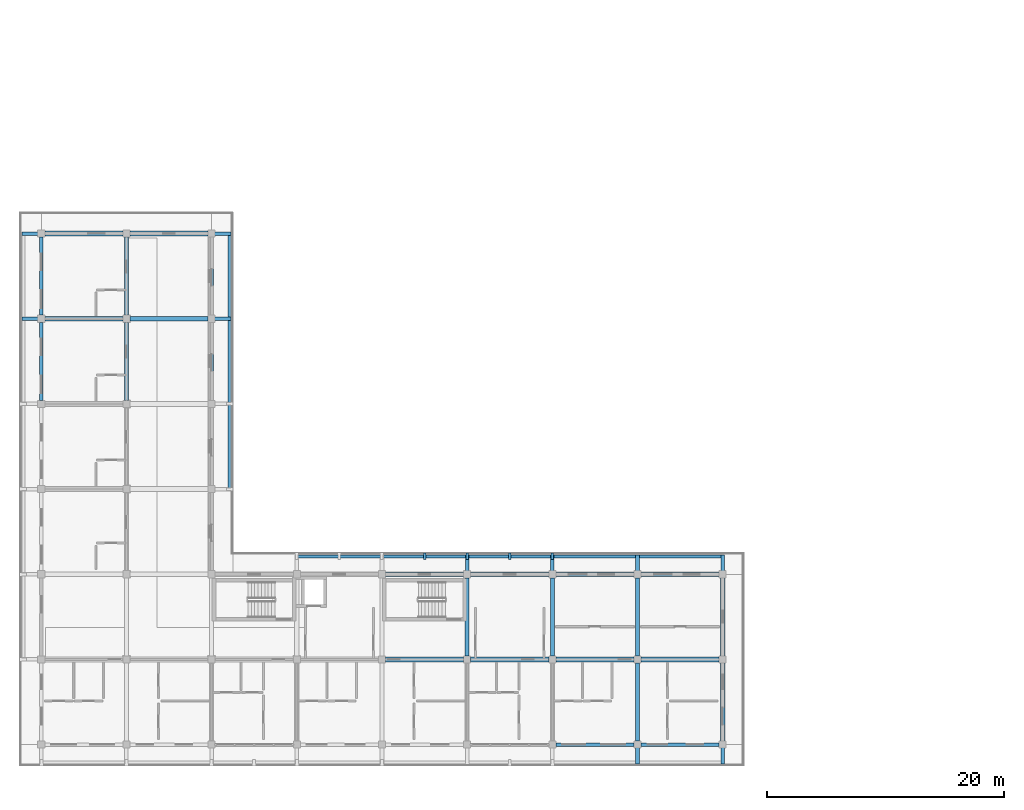
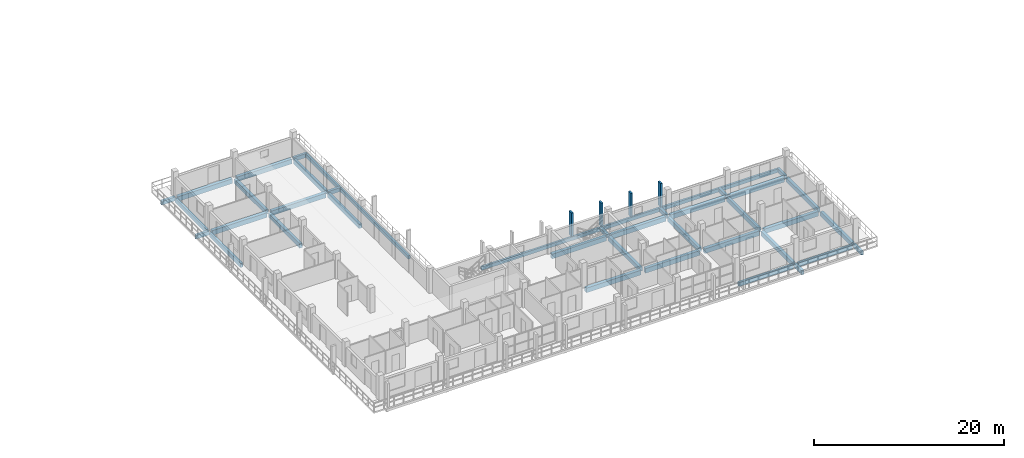
# One storey, part 7 of 76: 38 beams, 4 members.
"""IFC4 building model written with IfcOpenShell, lengths in metres."""

from ifc_helpers import new_model, si_unit, direction, frame, origin, origin_2d, place, context, subcontext, project, spatial, rectangle, extrude, material, material_profile, profile_set, type_object, element, save


model = new_model("IFC4")

# Units and contexts
model_context = context("Model", 3, precision=1e-05, world=origin(), true_north=direction((0.0, 1.0)))
body_context = subcontext(model_context, "Body", "Model", "MODEL_VIEW")
ifc_project = project(units=[si_unit("LENGTHUNIT", "METRE"), si_unit("AREAUNIT", "SQUARE_METRE"), si_unit("VOLUMEUNIT", "CUBIC_METRE"), si_unit("PLANEANGLEUNIT", "RADIAN"), si_unit("MASSUNIT", "GRAM", prefix="KILO")], contexts=[model_context])

# Site, building, storey
site_placement = place(None, origin())
site = spatial("IfcSite", under=ifc_project, at=site_placement, CompositionType="ELEMENT")
building_placement = place(site_placement, origin())
building = spatial("IfcBuilding", under=site, at=building_placement, Name="Suanplinth Sawtooth Commons", CompositionType="ELEMENT")
storey_placement = place(building_placement, frame((0.0, 0.0, 12.199951171875)))
storey = spatial("IfcBuildingStorey", under=building, at=storey_placement, Name="L03", CompositionType="ELEMENT", Elevation=12.199951171875)

# Beams
ifc_material_1 = material(Name="Precast concrete C40/50", Category="concrete")
ifc_material_profile_1 = material_profile(ifc_material_1, rectangle(XDim=0.39990234375, YDim=0.60009765625, at=origin_2d()), Name="PC-GDR 400x600")
ifc_profile_set_1 = profile_set([ifc_material_profile_1], Name="Precast concrete C40/50")
beam_type_1 = type_object("IfcBeamType", Name="B-05", PredefinedType="USERDEFINED", material=ifc_profile_set_1)
for number, where, z_axis, x_axis, name in (
    (1, (0.300048828125, 36.0, -0.5400390625), (1.0, 0.0, 0.0), (0.0, 1.0, 0.0), "BMX-L03-D-0-5"),
    (2, (0.300048828125, 43.199951171875, -0.5400390625), (1.0, 0.0, 0.0), (0.0, 1.0, 0.0), "BMX-L03-D-0-6"),
):
    element("IfcBeam", number, at=place(storey_placement, frame(where, z_axis=z_axis, x_axis=x_axis)), inside=storey, type_object=beam_type_1, Name=name, ObjectType="GIRDER", PredefinedType="USERDEFINED", context=body_context, shape_type="SweptSolid", body=[
        extrude(rectangle(XDim=0.39990234375, YDim=0.60009765625, at=origin_2d()), origin(), (0.0, 0.0, 1.0), 6.599853515625),
    ])
for number, where, z_axis, x_axis, name in (
    (3, (7.5, 36.0, -0.5400390625), (1.0, 0.0, 0.0), (0.0, 1.0, 0.0), "BMX-L03-D-1-5"),
    (4, (7.5, 43.199951171875, -0.5400390625), (1.0, 0.0, 0.0), (0.0, 1.0, 0.0), "BMX-L03-D-1-6"),
):
    element("IfcBeam", number, at=place(storey_placement, frame(where, z_axis=z_axis, x_axis=x_axis)), inside=storey, type_object=beam_type_1, Name=name, ObjectType="GIRDER", PredefinedType="USERDEFINED", context=body_context, shape_type="SweptSolid", body=[
        extrude(rectangle(XDim=0.39990234375, YDim=0.60009765625, at=origin_2d()), origin(), (0.0, 0.0, 1.0), 6.60009765625),
    ])
for number, where, z_axis, x_axis, name in (
    (5, (29.10009765625, 7.199951171875, -0.5400390625), (1.0, 0.0, 0.0), (0.0, 1.0, 0.0), "BMX-L03-D-4-1"),
    (6, (29.10009765625, 14.39990234375, -0.5400390625), (1.0, 0.0, 0.0), (0.0, 1.0, 0.0), "BMX-L03-D-4-2"),
    (7, (36.300048828125, 7.199951171875, -0.5400390625), (1.0, 0.0, 0.0), (0.0, 1.0, 0.0), "BMX-L03-D-5-1"),
    (8, (36.300048828125, 14.39990234375, -0.5400390625), (1.0, 0.0, 0.0), (0.0, 1.0, 0.0), "BMX-L03-D-5-2"),
):
    element("IfcBeam", number, at=place(storey_placement, frame(where, z_axis=z_axis, x_axis=x_axis)), inside=storey, type_object=beam_type_1, Name=name, ObjectType="GIRDER", PredefinedType="USERDEFINED", context=body_context, shape_type="SweptSolid", body=[
        extrude(rectangle(XDim=0.39990234375, YDim=0.60009765625, at=origin_2d()), origin(), (0.0, 0.0, 1.0), 6.599853515625),
    ])
for number, where, z_axis, x_axis, name in (
    (9, (43.5, 7.199951171875, -0.5400390625), (1.0, 0.0, 0.0), (0.0, 1.0, 0.0), "BMX-L03-D-6-1"),
    (10, (43.5, 14.39990234375, -0.5400390625), (1.0, 0.0, 0.0), (0.0, 1.0, 0.0), "BMX-L03-D-6-2"),
    (11, (50.699951171875, 7.199951171875, -0.5400390625), (1.0, 0.0, 0.0), (0.0, 1.0, 0.0), "BMX-L03-D-7-1"),
    (12, (50.699951171875, 14.39990234375, -0.5400390625), (1.0, 0.0, 0.0), (0.0, 1.0, 0.0), "BMX-L03-D-7-2"),
):
    element("IfcBeam", number, at=place(storey_placement, frame(where, z_axis=z_axis, x_axis=x_axis)), inside=storey, type_object=beam_type_1, Name=name, ObjectType="GIRDER", PredefinedType="USERDEFINED", context=body_context, shape_type="SweptSolid", body=[
        extrude(rectangle(XDim=0.39990234375, YDim=0.60009765625, at=origin_2d()), origin(), (0.0, 0.0, 1.0), 6.60009765625),
    ])
ifc_material_profile_2 = material_profile(ifc_material_1, rectangle(XDim=0.35009765625, YDim=0.550048828125, at=origin_2d()), Name="PC-BM 350x550")
ifc_profile_set_2 = profile_set([ifc_material_profile_2], Name="Precast concrete C40/50")
beam_type_2 = type_object("IfcBeamType", Name="B-06", PredefinedType="BEAM", material=ifc_profile_set_2)
for number, where, z_axis, x_axis, name in (
    (13, (7.199951171875, 29.10009765625, -0.514892578125), (0.0, 1.0, 0.0), (-1.0, 0.0, 0.0), "BMY-L03-D-1-4"),
    (14, (7.199951171875, 36.300048828125, -0.514892578125), (0.0, 1.0, 0.0), (-1.0, 0.0, 0.0), "BMY-L03-D-1-5"),
    (15, (14.39990234375, 29.10009765625, -0.514892578125), (0.0, 1.0, 0.0), (-1.0, 0.0, 0.0), "BMY-L03-D-2-4"),
    (16, (14.39990234375, 36.300048828125, -0.514892578125), (0.0, 1.0, 0.0), (-1.0, 0.0, 0.0), "BMY-L03-D-2-5"),
):
    element("IfcBeam", number, at=place(storey_placement, frame(where, z_axis=z_axis, x_axis=x_axis)), inside=storey, type_object=beam_type_2, Name=name, PredefinedType="BEAM", context=body_context, shape_type="SweptSolid", body=[
        extrude(rectangle(XDim=0.35009765625, YDim=0.550048828125, at=origin_2d()), origin(), (0.0, 0.0, 1.0), 6.599853515625),
    ])
for number, where, z_axis, x_axis, name in (
    (17, (36.0, 7.5, -0.514892578125), (0.0, 1.0, 0.0), (-1.0, 0.0, 0.0), "BMY-L03-D-5-1"),
    (18, (43.199951171875, 7.5, -0.514892578125), (0.0, 1.0, 0.0), (-1.0, 0.0, 0.0), "BMY-L03-D-6-1"),
):
    element("IfcBeam", number, at=place(storey_placement, frame(where, z_axis=z_axis, x_axis=x_axis)), inside=storey, type_object=beam_type_2, Name=name, PredefinedType="BEAM", context=body_context, shape_type="SweptSolid", body=[
        extrude(rectangle(XDim=0.35009765625, YDim=0.550048828125, at=origin_2d()), origin(), (0.0, 0.0, 1.0), 6.60009765625),
    ])
beam_1_placement = place(storey_placement, frame((50.39990234375, 0.300048828125, -0.514892578125), z_axis=(0.0, 1.0, 0.0), x_axis=(-1.0, 0.0, 0.0)))
element("IfcBeam", 19, at=beam_1_placement, inside=storey, type_object=beam_type_2, Name="BMY-L03-D-7-0", PredefinedType="BEAM", context=body_context, shape_type="SweptSolid", body=[
    extrude(rectangle(XDim=0.35009765625, YDim=0.550048828125, at=origin_2d()), origin(), (0.0, 0.0, 1.0), 6.599853515625),
])
beam_2_placement = place(storey_placement, frame((50.39990234375, 7.5, -0.514892578125), z_axis=(0.0, 1.0, 0.0), x_axis=(-1.0, 0.0, 0.0)))
element("IfcBeam", 20, at=beam_2_placement, inside=storey, type_object=beam_type_2, Name="BMY-L03-D-7-1", PredefinedType="BEAM", context=body_context, shape_type="SweptSolid", body=[
    extrude(rectangle(XDim=0.35009765625, YDim=0.550048828125, at=origin_2d()), origin(), (0.0, 0.0, 1.0), 6.60009765625),
])
beam_3_placement = place(storey_placement, frame((57.60009765625, 0.300048828125, -0.514892578125), z_axis=(0.0, 1.0, 0.0), x_axis=(-1.0, 0.0, 0.0)))
element("IfcBeam", 21, at=beam_3_placement, inside=storey, type_object=beam_type_2, Name="BMY-L03-D-8-0", PredefinedType="BEAM", context=body_context, shape_type="SweptSolid", body=[
    extrude(rectangle(XDim=0.35009765625, YDim=0.550048828125, at=origin_2d()), origin(), (0.0, 0.0, 1.0), 6.599853515625),
])
beam_4_placement = place(storey_placement, frame((57.60009765625, 7.5, -0.514892578125), z_axis=(0.0, 1.0, 0.0), x_axis=(-1.0, 0.0, 0.0)))
element("IfcBeam", 22, at=beam_4_placement, inside=storey, type_object=beam_type_2, Name="BMY-L03-D-8-1", PredefinedType="BEAM", context=body_context, shape_type="SweptSolid", body=[
    extrude(rectangle(XDim=0.35009765625, YDim=0.550048828125, at=origin_2d()), origin(), (0.0, 0.0, 1.0), 6.60009765625),
])
ifc_material_profile_3 = material_profile(ifc_material_1, rectangle(XDim=0.300048828125, YDim=0.5, at=origin_2d()), Name="PC-BM 300x500")
ifc_profile_set_3 = profile_set([ifc_material_profile_3], Name="Precast concrete C40/50")
beam_type_3 = type_object("IfcBeamType", Name="B-07", PredefinedType="BEAM", material=ifc_profile_set_3)
for number, where, z_axis, x_axis, name in (
    (23, (50.39990234375, 0.0, -0.429931640625), (0.0, -1.0, 0.0), (1.0, 0.0, 0.0), "Balcony Outrigger L03-D-S-7"),
    (24, (57.60009765625, 0.0, -0.429931640625), (0.0, -1.0, 0.0), (1.0, 0.0, 0.0), "Balcony Outrigger L03-D-S-8"),
    (25, (0.0, 36.0, -0.429931640625), (-1.0, 0.0, 0.0), (0.0, -1.0, 0.0), "Balcony Outrigger L03-D-W-5"),
    (26, (0.0, 43.199951171875, -0.429931640625), (-1.0, 0.0, 0.0), (0.0, -1.0, 0.0), "Balcony Outrigger L03-D-W-6"),
):
    element("IfcBeam", number, at=place(storey_placement, frame(where, z_axis=z_axis, x_axis=x_axis)), inside=storey, type_object=beam_type_3, Name=name, PredefinedType="BEAM", context=body_context, shape_type="SweptSolid", body=[
        extrude(rectangle(XDim=0.300048828125, YDim=0.5, at=origin_2d()), origin(), (0.0, 0.0, 1.0), 1.639892578125),
    ])
for number, where, z_axis, x_axis, name in (
    (27, (36.0, 14.39990234375, -0.425048828125), (0.0, 1.0, 0.0), (-1.0, 0.0, 0.0), "Balcony Outrigger L03-D-NC-5"),
    (28, (43.199951171875, 14.39990234375, -0.425048828125), (0.0, 1.0, 0.0), (-1.0, 0.0, 0.0), "Balcony Outrigger L03-D-NC-6"),
    (29, (50.39990234375, 14.39990234375, -0.425048828125), (0.0, 1.0, 0.0), (-1.0, 0.0, 0.0), "Balcony Outrigger L03-D-NC-7"),
    (30, (57.60009765625, 14.39990234375, -0.425048828125), (0.0, 1.0, 0.0), (-1.0, 0.0, 0.0), "Balcony Outrigger L03-D-NC-8"),
    (31, (14.39990234375, 36.0, -0.425048828125), (1.0, 0.0, 0.0), (0.0, 1.0, 0.0), "Balcony Outrigger L03-D-EC-5"),
    (32, (14.39990234375, 43.199951171875, -0.425048828125), (1.0, 0.0, 0.0), (0.0, 1.0, 0.0), "Balcony Outrigger L03-D-EC-6"),
):
    element("IfcBeam", number, at=place(storey_placement, frame(where, z_axis=z_axis, x_axis=x_axis)), inside=storey, type_object=beam_type_3, Name=name, PredefinedType="BEAM", context=body_context, shape_type="SweptSolid", body=[
        extrude(rectangle(XDim=0.300048828125, YDim=0.5, at=origin_2d()), origin(), (0.0, 0.0, 1.0), 1.64013671875),
    ])
ifc_material_profile_4 = material_profile(ifc_material_1, rectangle(XDim=0.280029296875, YDim=0.52001953125, at=origin_2d()), Name="PC-SP 280x520")
ifc_profile_set_4 = profile_set([ifc_material_profile_4], Name="Precast concrete C40/50")
beam_type_4 = type_object("IfcBeamType", Name="B-08", PredefinedType="SPANDREL", material=ifc_profile_set_4)
for number, where, z_axis, x_axis, name in (
    (33, (43.5, 0.0, -0.5), (1.0, 0.0, 0.0), (0.0, 1.0, 0.0), "BMX-L03-D-6-0"),
    (34, (50.699951171875, 0.0, -0.5), (1.0, 0.0, 0.0), (0.0, 1.0, 0.0), "BMX-L03-D-7-0"),
):
    element("IfcBeam", number, at=place(storey_placement, frame(where, z_axis=z_axis, x_axis=x_axis)), inside=storey, type_object=beam_type_4, Name=name, PredefinedType="SPANDREL", context=body_context, shape_type="SweptSolid", body=[
        extrude(rectangle(XDim=0.280029296875, YDim=0.52001953125, at=origin_2d()), origin(), (0.0, 0.0, 1.0), 6.60009765625),
    ])
for number, where, z_axis, x_axis, name in (
    (35, (0.0, 29.10009765625, -0.5), (0.0, 1.0, 0.0), (-1.0, 0.0, 0.0), "BMY-L03-D-0-4"),
    (36, (0.0, 36.300048828125, -0.5), (0.0, 1.0, 0.0), (-1.0, 0.0, 0.0), "BMY-L03-D-0-5"),
):
    element("IfcBeam", number, at=place(storey_placement, frame(where, z_axis=z_axis, x_axis=x_axis)), inside=storey, type_object=beam_type_4, Name=name, PredefinedType="SPANDREL", context=body_context, shape_type="SweptSolid", body=[
        extrude(rectangle(XDim=0.280029296875, YDim=0.52001953125, at=origin_2d()), origin(), (0.0, 0.0, 1.0), 6.599853515625),
    ])
ifc_material_profile_5 = material_profile(ifc_material_1, rectangle(XDim=0.25, YDim=0.449951171875, at=origin_2d()), Name="PC-SP 250x450")
ifc_profile_set_5 = profile_set([ifc_material_profile_5], Name="Precast concrete C40/50")
beam_type_5 = type_object("IfcBeamType", Name="B-09", PredefinedType="SPANDREL", material=ifc_profile_set_5)
beam_5_placement = place(storey_placement, frame((21.449951171875, 15.919921875, -0.39990234375), z_axis=(1.0, 0.0, 0.0), x_axis=(0.0, 1.0, 0.0)))
element("IfcBeam", 37, at=beam_5_placement, inside=storey, type_object=beam_type_5, Name="Balcony Edge Fascia L03-D-NC", PredefinedType="SPANDREL", context=body_context, shape_type="SweptSolid", body=[
    extrude(rectangle(XDim=0.25, YDim=0.449951171875, at=origin_2d()), origin(), (0.0, 0.0, 1.0), 36.300048828125),
])
beam_6_placement = place(storey_placement, frame((15.919921875, 21.449951171875, -0.39990234375), z_axis=(0.0, 1.0, 0.0), x_axis=(-1.0, 0.0, 0.0)))
element("IfcBeam", 38, at=beam_6_placement, inside=storey, type_object=beam_type_5, Name="Balcony Edge Fascia L03-D-EC", PredefinedType="SPANDREL", context=body_context, shape_type="SweptSolid", body=[
    extrude(rectangle(XDim=0.25, YDim=0.449951171875, at=origin_2d()), origin(), (0.0, 0.0, 1.0), 21.900146484375),
])

# Members
ifc_material_2 = material(Name="Pigmented precast concrete C40/50", Category="concrete")
ifc_material_profile_6 = material_profile(ifc_material_2, rectangle(XDim=0.2099609375, YDim=0.52001953125, at=origin_2d()), Name="PC-FIN 210x520")
ifc_profile_set_6 = profile_set([ifc_material_profile_6], Name="Pigmented precast concrete C40/50")
member_type = type_object("IfcMemberType", Name="M-12", PredefinedType="USERDEFINED", material=ifc_profile_set_6)
for number, where, z_axis, x_axis, name in (
    (39, (32.39990234375, 15.919921875, 0.0), (0.0, 0.0, 1.0), (1.0, 0.0, 0.0), "Upright Solar Blade L03-D-NC-16"),
    (40, (36.0, 15.919921875, 0.0), (0.0, 0.0, 1.0), (1.0, 0.0, 0.0), "Upright Solar Blade L03-D-NC-17"),
    (41, (39.60009765625, 15.919921875, 0.0), (0.0, 0.0, 1.0), (1.0, 0.0, 0.0), "Upright Solar Blade L03-D-NC-18"),
    (42, (43.199951171875, 15.919921875, 0.0), (0.0, 0.0, 1.0), (1.0, 0.0, 0.0), "Upright Solar Blade L03-D-NC-19"),
):
    element("IfcMember", number, at=place(storey_placement, frame(where, z_axis=z_axis, x_axis=x_axis)), inside=storey, type_object=member_type, Name=name, ObjectType="SHADING FIN", PredefinedType="USERDEFINED", context=body_context, shape_type="SweptSolid", body=[
        extrude(rectangle(XDim=0.2099609375, YDim=0.52001953125, at=origin_2d()), origin(), (0.0, 0.0, 1.0), 3.030029296875),
    ])

save(model, "model.ifc")
